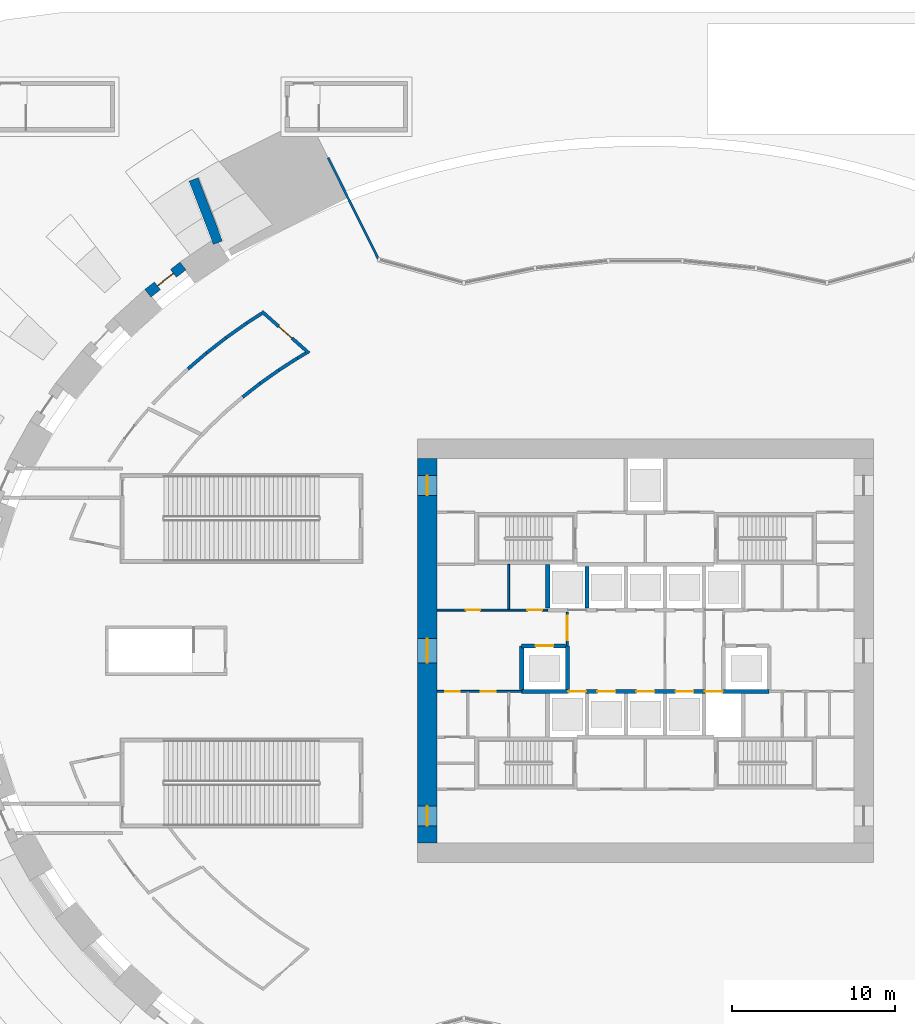
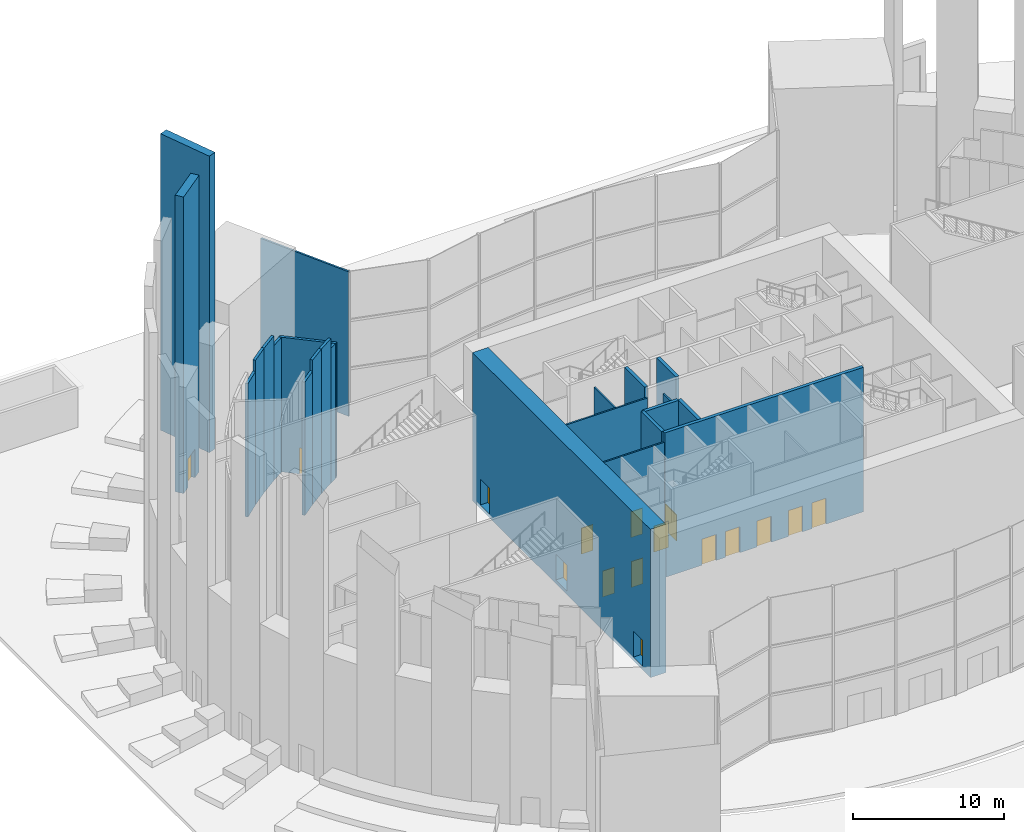
# One storey, part 10 of 25: 23 walls, 16 doors, 16 openings.
"""IFC4 building model written with IfcOpenShell, lengths in metres."""

from ifc_helpers import new_model, si_unit, direction, frame, frame_2d, origin, place, context, subcontext, project, spatial, rectangle, extrude, source, transform, mapped, material, layer, layer_set, type_object, element, fill, save


model = new_model("IFC4")

# Units and contexts
model_context = context("Model", 3, precision=1e-05, world=origin(), true_north=direction((0.0, 1.0)))
body_context = subcontext(model_context, "Body", "Model", "MODEL_VIEW")
ifc_project = project(units=[si_unit("LENGTHUNIT", "METRE"), si_unit("AREAUNIT", "SQUARE_METRE"), si_unit("VOLUMEUNIT", "CUBIC_METRE"), si_unit("PLANEANGLEUNIT", "RADIAN"), si_unit("MASSUNIT", "GRAM", prefix="KILO")], contexts=[model_context])

# Site, building, storey
site_placement = place(None, origin())
site = spatial("IfcSite", under=ifc_project, at=site_placement, CompositionType="ELEMENT")
building_placement = place(site_placement, origin())
building = spatial("IfcBuilding", under=site, at=building_placement, Name="Embergate Tower", CompositionType="ELEMENT")
storey_placement = place(building_placement, origin())
storey = spatial("IfcBuildingStorey", under=building, at=storey_placement, Name="L00", CompositionType="ELEMENT", Elevation=0.0)

# Wall, openings, doors
ifc_material_1 = material(Name="Concrete C80", Category="concrete")
ifc_layer_1 = layer(ifc_material_1, 1.199951171875)
ifc_layer_set_1 = layer_set([ifc_layer_1], Name="Concrete C80")
wall_type_1 = type_object("IfcWallType", Name="Core outer wall C80 1200", PredefinedType="SHEAR", material=ifc_layer_set_1)
shared_shape_1 = source(origin(), body_context, "Body", "SweptSolid", [
    extrude(rectangle(XDim=23.60009765625, YDim=1.199951171875, at=frame_2d((11.800048828125, 0.0))), origin(), (0.0, 0.0, 1.0), 12.0),
])
wall_1_placement = place(storey_placement, frame((-13.39990234375, -11.800048828125, -0.300048828125), z_axis=(0.0, 0.0, 1.0), x_axis=(0.0, 1.0, 0.0)))
wall_1 = element("IfcWall", 1, at=wall_1_placement, inside=storey, type_object=wall_type_1, Name="CW-L00-W", PredefinedType="SHEAR", context=body_context, shape_type="MappedRepresentation", body=[
    mapped(shared_shape_1, transform((0.0, 0.0, 0.0))),
])
shared_shape_2 = source(origin(), body_context, "Body", "SweptSolid", [
    extrude(rectangle(XDim=1.199951171875, YDim=2.10009765625, at=frame_2d((0.60009765625, 1.050048828125))), frame((0.0, 0.60986328125, 0.0), z_axis=(0.0, -1.0, 0.0), x_axis=(1.0, 0.0, 0.0)), (0.0, 0.0, 1.0), 1.219970703125),
])
opening_1_placement = place(wall_1_placement, frame((21.35009765625, 0.0, 0.300048828125)))
opening_1 = element("IfcOpeningElement", 2, at=opening_1_placement, cuts=wall_1, Name="Opening IF-1", PredefinedType="OPENING", context=body_context, shape_type="MappedRepresentation", body=[
    mapped(shared_shape_2, transform((0.0, 0.0, 0.0))),
])
opening_2_placement = place(wall_1_placement, frame((1.050048828125, 0.0, 0.300048828125)))
opening_2 = element("IfcOpeningElement", 3, at=opening_2_placement, cuts=wall_1, Name="Opening IF-1", PredefinedType="OPENING", context=body_context, shape_type="MappedRepresentation", body=[
    mapped(shared_shape_2, transform((0.0, 0.0, 0.0))),
])
shared_shape_3 = source(origin(), body_context, "Body", "SweptSolid", [
    extrude(rectangle(XDim=1.5, YDim=2.10009765625, at=frame_2d((0.75, 1.050048828125))), frame((0.0, 0.60986328125, 0.0), z_axis=(0.0, -1.0, 0.0), x_axis=(1.0, 0.0, 0.0)), (0.0, 0.0, 1.0), 1.219970703125),
])
opening_3_placement = place(wall_1_placement, frame((11.050048828125, 0.0, 0.300048828125)))
opening_3 = element("IfcOpeningElement", 4, at=opening_3_placement, cuts=wall_1, Name="Opening IF-3", PredefinedType="OPENING", context=body_context, shape_type="MappedRepresentation", body=[
    mapped(shared_shape_3, transform((0.0, 0.0, 0.0))),
])
ifc_material_2 = material(Name="Escape fire door 1200")
door_type_1 = type_object("IfcDoorType", Name="Escape fire door 1200", OperationType="SINGLE_SWING_LEFT", PredefinedType="DOOR", material=ifc_material_2)
shared_shape_4 = source(origin(), body_context, "Body", "SweptSolid", [
    extrude(rectangle(XDim=1.199951171875, YDim=2.10009765625, at=frame_2d((0.60009765625, 1.050048828125))), frame((0.0, 0.02490234375, 0.0), z_axis=(0.0, -1.0, 0.0), x_axis=(1.0, 0.0, 0.0)), (0.0, 0.0, 1.0), 0.050048828125),
])
door_1_placement = place(opening_1_placement, origin())
door_1 = element("IfcDoor", 5, at=door_1_placement, inside=storey, type_object=door_type_1, Name="IF-1 door", OperationType="SINGLE_SWING_RIGHT", OverallHeight=2.10009765625, OverallWidth=1.199951171875, PredefinedType="DOOR", context=body_context, shape_type="MappedRepresentation", body=[
    mapped(shared_shape_4, transform((0.0, 0.0, 0.0))),
])
fill(opening_1, door_1)
door_2_placement = place(opening_2_placement, origin())
door_2 = element("IfcDoor", 6, at=door_2_placement, inside=storey, type_object=door_type_1, Name="IF-1 door", OperationType="SINGLE_SWING_RIGHT", OverallHeight=2.10009765625, OverallWidth=1.199951171875, PredefinedType="DOOR", context=body_context, shape_type="MappedRepresentation", body=[
    mapped(shared_shape_4, transform((0.0, 0.0, 0.0))),
])
fill(opening_2, door_2)
ifc_material_3 = material(Name="Lobby fire door pair 1500")
door_type_2 = type_object("IfcDoorType", Name="Lobby fire door pair 1500", OperationType="DOUBLE_DOOR_SINGLE_SWING", PredefinedType="DOOR", material=ifc_material_3)
shared_shape_5 = source(origin(), body_context, "Body", "SweptSolid", [
    extrude(rectangle(XDim=1.5, YDim=2.10009765625, at=frame_2d((0.75, 1.050048828125))), frame((0.0, 0.02490234375, 0.0), z_axis=(0.0, -1.0, 0.0), x_axis=(1.0, 0.0, 0.0)), (0.0, 0.0, 1.0), 0.050048828125),
])
door_3_placement = place(opening_3_placement, origin())
door_3 = element("IfcDoor", 7, at=door_3_placement, inside=storey, type_object=door_type_2, Name="IF-3 door", OperationType="DOUBLE_DOOR_SINGLE_SWING", OverallHeight=2.10009765625, OverallWidth=1.5, PredefinedType="DOOR", context=body_context, shape_type="MappedRepresentation", body=[
    mapped(shared_shape_5, transform((0.0, 0.0, 0.0))),
])
fill(opening_3, door_3)

# Wall
ifc_material_4 = material(Name="Brick masonry, solid, with terracotta coping", Category="masonry")
ifc_layer_2 = layer(ifc_material_4, 0.60009765625)
ifc_layer_set_2 = layer_set([ifc_layer_2], Name="Brick masonry, solid, with terracotta coping")
wall_type_2 = type_object("IfcWallType", Name="Masonry base wall", PredefinedType="SOLIDWALL", material=ifc_layer_set_2)
shared_shape_6 = source(origin(), body_context, "Body", "SweptSolid", [
    extrude(rectangle(XDim=4.158203125, YDim=0.60009765625, at=frame_2d((2.0791015625, 0.0))), origin(), (0.0, 0.0, 1.0), 24.0),
])
wall_2_placement = place(storey_placement, frame((-26.26123046875, 25.063232421875, 0.0), z_axis=(0.0, 0.0, 1.0), x_axis=(-0.359557362016, 0.933122984081, 0.0)))
element("IfcWall", 8, at=wall_2_placement, inside=storey, type_object=wall_type_2, Name="Masonry base wall 16", PredefinedType="SOLIDWALL", context=body_context, shape_type="MappedRepresentation", body=[
    mapped(shared_shape_6, transform((0.0, 0.0, 0.0))),
])

# Wall, opening, door
shared_shape_7 = source(origin(), body_context, "Body", "SweptSolid", [
    extrude(rectangle(XDim=2.734375, YDim=0.60009765625, at=frame_2d((1.3671875, 0.0))), origin(), (0.0, 0.0, 1.0), 24.0),
])
wall_3_placement = place(storey_placement, frame((-30.5634765625, 21.957275390625, 0.0), z_axis=(0.0, 0.0, 1.0), x_axis=(0.789015561302, 0.614373212325, 0.0)))
wall_3 = element("IfcWall", 9, at=wall_3_placement, inside=storey, type_object=wall_type_2, Name="Masonry base wall 17", PredefinedType="SOLIDWALL", context=body_context, shape_type="MappedRepresentation", body=[
    mapped(shared_shape_7, transform((0.0, 0.0, 0.0))),
])
shared_shape_8 = source(origin(), body_context, "Body", "SweptSolid", [
    extrude(rectangle(XDim=1.25, YDim=2.300048828125, at=frame_2d((0.625, 1.14990234375))), frame((0.0, 0.31005859375, 0.0), z_axis=(0.0, -1.0, 0.0), x_axis=(1.0, 0.0, 0.0)), (0.0, 0.0, 1.0), 0.6201171875),
])
opening_4_placement = place(wall_3_placement, frame((0.7421875, 0.0, 0.0)))
opening_4 = element("IfcOpeningElement", 10, at=opening_4_placement, cuts=wall_3, Name="Opening XD", PredefinedType="OPENING", context=body_context, shape_type="MappedRepresentation", body=[
    mapped(shared_shape_8, transform((0.0, 0.0, 0.0))),
])
ifc_material_5 = material(Name="Aluminium and toughened glass", Category="aluminium")
door_type_3 = type_object("IfcDoorType", Name="Exit door leaf", OperationType="SINGLE_SWING_LEFT", PredefinedType="DOOR", material=ifc_material_5)
shared_shape_9 = source(origin(), body_context, "Body", "SweptSolid", [
    extrude(rectangle(XDim=1.25, YDim=2.300048828125, at=frame_2d((0.625, 1.14990234375))), frame((0.0, 0.02490234375, 0.0), z_axis=(0.0, -1.0, 0.0), x_axis=(1.0, 0.0, 0.0)), (0.0, 0.0, 1.0), 0.050048828125),
])
door_4_placement = place(opening_4_placement, origin())
door_4 = element("IfcDoor", 11, at=door_4_placement, inside=storey, type_object=door_type_3, Name="Exit door ST3 17.1", OperationType="SINGLE_SWING_LEFT", OverallHeight=2.300048828125, OverallWidth=1.25, PredefinedType="DOOR", context=body_context, shape_type="MappedRepresentation", body=[
    mapped(shared_shape_9, transform((0.0, 0.0, 0.0))),
])
fill(opening_4, door_4)

# Walls
ifc_layer_3 = layer(ifc_material_5, 0.139892578125)
ifc_layer_set_3 = layer_set([ifc_layer_3], Name="Aluminium and toughened glass")
wall_type_3 = type_object("IfcWallType", Name="Glazed portal return", PredefinedType="SOLIDWALL", material=ifc_layer_set_3)
shared_shape_10 = source(origin(), body_context, "Body", "SweptSolid", [
    extrude(rectangle(XDim=7.0, YDim=0.139892578125, at=frame_2d((3.5, 0.0))), origin(), (0.0, 0.0, 1.0), 11.699951171875),
])
wall_4_placement = place(storey_placement, frame((-19.4951171875, 30.2880859375, 0.0), z_axis=(0.0, 0.0, 1.0), x_axis=(0.444714670292, -0.895672296115, 0.0)))
element("IfcWall", 12, at=wall_4_placement, inside=storey, type_object=wall_type_3, Name="Portal return N2", PredefinedType="SOLIDWALL", context=body_context, shape_type="MappedRepresentation", body=[
    mapped(shared_shape_10, transform((0.0, 0.0, 0.0))),
])
ifc_material_6 = material(Name="Concrete C50", Category="concrete")
ifc_layer_4 = layer(ifc_material_6, 0.25)
ifc_layer_set_4 = layer_set([ifc_layer_4], Name="Concrete C50")
wall_type_4 = type_object("IfcWallType", Name="Hoistway wall reinforced concrete 250", PredefinedType="SHEAR", material=ifc_layer_set_4)
shared_shape_11 = source(origin(), body_context, "Body", "SweptSolid", [
    extrude(rectangle(XDim=2.675048828125, YDim=0.25, at=frame_2d((1.33740234375, 0.0))), origin(), (0.0, 0.0, 1.0), 11.699951171875),
])
for number, where, z_axis, x_axis, name in (
    (13, (-6.0, 2.625, 0.0), (0.0, 0.0, 1.0), (0.0, 1.0, 0.0), "HW-1 wall"),
    (14, (-4.800048828125, 0.300048828125, 0.0), (0.0, 0.0, 1.0), (0.0, -1.0, 0.0), "HW-1 wall"),
):
    element("IfcWall", number, at=place(storey_placement, frame(where, z_axis=z_axis, x_axis=x_axis)), inside=storey, type_object=wall_type_4, Name=name, PredefinedType="SHEAR", context=body_context, shape_type="MappedRepresentation", body=[
        mapped(shared_shape_11, transform((0.0, 0.0, 0.0))),
    ])

# Wall, opening, door
wall_5_placement = place(storey_placement, frame((-4.925048828125, 0.300048828125, 0.0), z_axis=(0.0, 0.0, 1.0), x_axis=(-1.0, 0.0, 0.0)))
wall_5 = element("IfcWall", 15, at=wall_5_placement, inside=storey, type_object=wall_type_4, Name="HW-1 wall", PredefinedType="SHEAR", context=body_context, shape_type="MappedRepresentation", body=[
    mapped(shared_shape_11, transform((0.0, 0.0, 0.0))),
])
shared_shape_12 = source(origin(), body_context, "Body", "SweptSolid", [
    extrude(rectangle(XDim=1.10009765625, YDim=2.10009765625, at=frame_2d((0.550048828125, 1.050048828125))), frame((0.0, 0.135009765625, 0.0), z_axis=(0.0, -1.0, 0.0), x_axis=(1.0, 0.0, 0.0)), (0.0, 0.0, 1.0), 0.27001953125),
])
opening_5_placement = place(wall_5_placement, frame((0.72509765625, 0.0, 0.0)))
opening_5 = element("IfcOpeningElement", 16, at=opening_5_placement, cuts=wall_5, Name="Opening LD", PredefinedType="OPENING", context=body_context, shape_type="MappedRepresentation", body=[
    mapped(shared_shape_12, transform((0.0, 0.0, 0.0))),
])
ifc_material_7 = material(Name="Landing door sliding 1100")
door_type_4 = type_object("IfcDoorType", Name="Landing door sliding 1100", OperationType="SLIDING_TO_LEFT", PredefinedType="DOOR", material=ifc_material_7)
shared_shape_13 = source(origin(), body_context, "Body", "SweptSolid", [
    extrude(rectangle(XDim=1.10009765625, YDim=2.10009765625, at=frame_2d((0.550048828125, 1.050048828125))), frame((0.0, 0.02490234375, 0.0), z_axis=(0.0, -1.0, 0.0), x_axis=(1.0, 0.0, 0.0)), (0.0, 0.0, 1.0), 0.050048828125),
])
door_5_placement = place(opening_5_placement, origin())
door_5 = element("IfcDoor", 17, at=door_5_placement, inside=storey, type_object=door_type_4, Name="LD door", OperationType="SLIDING_TO_LEFT", OverallHeight=2.10009765625, OverallWidth=1.10009765625, PredefinedType="DOOR", context=body_context, shape_type="MappedRepresentation", body=[
    mapped(shared_shape_13, transform((0.0, 0.0, 0.0))),
])
fill(opening_5, door_5)

# Wall
wall_6_placement = place(storey_placement, frame((-7.60009765625, 0.300048828125, 0.0), z_axis=(0.0, 0.0, 1.0), x_axis=(0.0, -1.0, 0.0)))
element("IfcWall", 18, at=wall_6_placement, inside=storey, type_object=wall_type_4, Name="HW-1 wall", PredefinedType="SHEAR", context=body_context, shape_type="MappedRepresentation", body=[
    mapped(shared_shape_11, transform((0.0, 0.0, 0.0))),
])

# Wall, openings, doors
ifc_material_8 = material(Name="Core partition blockwork 120")
ifc_layer_5 = layer(ifc_material_8, 0.1201171875)
ifc_layer_set_5 = layer_set([ifc_layer_5], Name="Core partition blockwork 120")
wall_type_5 = type_object("IfcWallType", Name="Core partition blockwork 120", PredefinedType="PARTITIONING", material=ifc_layer_set_5)
shared_shape_14 = source(origin(), body_context, "Body", "SweptSolid", [
    extrude(rectangle(XDim=6.800048828125, YDim=0.1201171875, at=frame_2d((3.39990234375, 0.0))), origin(), (0.0, 0.0, 1.0), 10.89990234375),
])
wall_7_placement = place(storey_placement, frame((-12.800048828125, 2.5, 0.0), z_axis=(0.0, 0.0, 1.0), x_axis=(1.0, 0.0, 0.0)))
wall_7 = element("IfcWall", 19, at=wall_7_placement, inside=storey, type_object=wall_type_5, Name="IP-3 wall", PredefinedType="PARTITIONING", context=body_context, shape_type="MappedRepresentation", body=[
    mapped(shared_shape_14, transform((0.0, 0.0, 0.0))),
])
shared_shape_15 = source(origin(), body_context, "Body", "SweptSolid", [
    extrude(rectangle(XDim=0.89990234375, YDim=2.10009765625, at=frame_2d((0.449951171875, 1.050048828125))), frame((0.0, 0.070068359375, 0.0), z_axis=(0.0, -1.0, 0.0), x_axis=(1.0, 0.0, 0.0)), (0.0, 0.0, 1.0), 0.14013671875),
])
opening_6_placement = place(wall_7_placement, frame((5.550048828125, 0.0, 0.0)))
opening_6 = element("IfcOpeningElement", 20, at=opening_6_placement, cuts=wall_7, Name="Opening ID-1", PredefinedType="OPENING", context=body_context, shape_type="MappedRepresentation", body=[
    mapped(shared_shape_15, transform((0.0, 0.0, 0.0))),
])
opening_7_placement = place(wall_7_placement, frame((1.75, 0.0, 0.0)))
opening_7 = element("IfcOpeningElement", 21, at=opening_7_placement, cuts=wall_7, Name="Opening ID-1", PredefinedType="OPENING", context=body_context, shape_type="MappedRepresentation", body=[
    mapped(shared_shape_15, transform((0.0, 0.0, 0.0))),
])
ifc_material_9 = material(Name="Interior door 900")
door_type_5 = type_object("IfcDoorType", Name="Interior door 900", OperationType="SINGLE_SWING_LEFT", PredefinedType="DOOR", material=ifc_material_9)
shared_shape_16 = source(origin(), body_context, "Body", "SweptSolid", [
    extrude(rectangle(XDim=0.89990234375, YDim=2.10009765625, at=frame_2d((0.449951171875, 1.050048828125))), frame((0.0, 0.02490234375, 0.0), z_axis=(0.0, -1.0, 0.0), x_axis=(1.0, 0.0, 0.0)), (0.0, 0.0, 1.0), 0.050048828125),
])
door_6_placement = place(opening_6_placement, origin())
door_6 = element("IfcDoor", 22, at=door_6_placement, inside=storey, type_object=door_type_5, Name="ID-1 door", OperationType="SINGLE_SWING_LEFT", OverallHeight=2.10009765625, OverallWidth=0.89990234375, PredefinedType="DOOR", context=body_context, shape_type="MappedRepresentation", body=[
    mapped(shared_shape_16, transform((0.0, 0.0, 0.0))),
])
fill(opening_6, door_6)
door_7_placement = place(opening_7_placement, origin())
door_7 = element("IfcDoor", 23, at=door_7_placement, inside=storey, type_object=door_type_5, Name="ID-1 door", OperationType="SINGLE_SWING_LEFT", OverallHeight=2.10009765625, OverallWidth=0.89990234375, PredefinedType="DOOR", context=body_context, shape_type="MappedRepresentation", body=[
    mapped(shared_shape_16, transform((0.0, 0.0, 0.0))),
])
fill(opening_7, door_7)

# Walls
shared_shape_17 = source(origin(), body_context, "Body", "SweptSolid", [
    extrude(rectangle(XDim=2.739990234375, YDim=0.1201171875, at=frame_2d((1.3701171875, 0.0))), origin(), (0.0, 0.0, 1.0), 10.89990234375),
])
wall_8_placement = place(storey_placement, frame((-8.39990234375, 5.300048828125, 0.0), z_axis=(0.0, 0.0, 1.0), x_axis=(0.0, -1.0, 0.0)))
element("IfcWall", 24, at=wall_8_placement, inside=storey, type_object=wall_type_5, Name="IP-3 wall", PredefinedType="PARTITIONING", context=body_context, shape_type="MappedRepresentation", body=[
    mapped(shared_shape_17, transform((0.0, 0.0, 0.0))),
])
shared_shape_18 = source(origin(), body_context, "Body", "SweptSolid", [
    extrude(rectangle(XDim=2.550048828125, YDim=0.25, at=frame_2d((1.27490234375, 0.0))), origin(), (0.0, 0.0, 1.0), 11.699951171875),
])
wall_9_placement = place(storey_placement, frame((-3.60009765625, 2.625, 0.0), z_axis=(0.0, 0.0, 1.0), x_axis=(0.0, 1.0, 0.0)))
element("IfcWall", 25, at=wall_9_placement, inside=storey, type_object=wall_type_4, Name="HW-1 wall", PredefinedType="SHEAR", context=body_context, shape_type="MappedRepresentation", body=[
    mapped(shared_shape_18, transform((0.0, 0.0, 0.0))),
])

# Wall, openings, doors
shared_shape_19 = source(origin(), body_context, "Body", "SweptSolid", [
    extrude(rectangle(XDim=15.2001953125, YDim=0.25, at=frame_2d((7.60009765625, 0.0))), origin(), (0.0, 0.0, 1.0), 11.699951171875),
])
wall_10_placement = place(storey_placement, frame((7.60009765625, -2.5, 0.0), z_axis=(0.0, 0.0, 1.0), x_axis=(-1.0, 0.0, 0.0)))
wall_10 = element("IfcWall", 26, at=wall_10_placement, inside=storey, type_object=wall_type_4, Name="HW-1 wall", PredefinedType="SHEAR", context=body_context, shape_type="MappedRepresentation", body=[
    mapped(shared_shape_19, transform((0.0, 0.0, 0.0))),
])
opening_8_placement = place(wall_10_placement, frame((11.25, 0.0, 0.0)))
opening_8 = element("IfcOpeningElement", 27, at=opening_8_placement, cuts=wall_10, Name="Opening LD", PredefinedType="OPENING", context=body_context, shape_type="MappedRepresentation", body=[
    mapped(shared_shape_12, transform((0.0, 0.0, 0.0))),
])
opening_9_placement = place(wall_10_placement, frame((9.449951171875, 0.0, 0.0)))
opening_9 = element("IfcOpeningElement", 28, at=opening_9_placement, cuts=wall_10, Name="Opening LD", PredefinedType="OPENING", context=body_context, shape_type="MappedRepresentation", body=[
    mapped(shared_shape_12, transform((0.0, 0.0, 0.0))),
])
opening_10_placement = place(wall_10_placement, frame((7.050048828125, 0.0, 0.0)))
opening_10 = element("IfcOpeningElement", 29, at=opening_10_placement, cuts=wall_10, Name="Opening LD", PredefinedType="OPENING", context=body_context, shape_type="MappedRepresentation", body=[
    mapped(shared_shape_12, transform((0.0, 0.0, 0.0))),
])
opening_11_placement = place(wall_10_placement, frame((4.64990234375, 0.0, 0.0)))
opening_11 = element("IfcOpeningElement", 30, at=opening_11_placement, cuts=wall_10, Name="Opening LD", PredefinedType="OPENING", context=body_context, shape_type="MappedRepresentation", body=[
    mapped(shared_shape_12, transform((0.0, 0.0, 0.0))),
])
opening_12_placement = place(wall_10_placement, frame((2.85009765625, 0.0, 0.0)))
opening_12 = element("IfcOpeningElement", 31, at=opening_12_placement, cuts=wall_10, Name="Opening LD", PredefinedType="OPENING", context=body_context, shape_type="MappedRepresentation", body=[
    mapped(shared_shape_12, transform((0.0, 0.0, 0.0))),
])
door_8_placement = place(opening_8_placement, origin())
door_8 = element("IfcDoor", 32, at=door_8_placement, inside=storey, type_object=door_type_4, Name="LD door", OperationType="SLIDING_TO_LEFT", OverallHeight=2.10009765625, OverallWidth=1.10009765625, PredefinedType="DOOR", context=body_context, shape_type="MappedRepresentation", body=[
    mapped(shared_shape_13, transform((0.0, 0.0, 0.0))),
])
fill(opening_8, door_8)
door_9_placement = place(opening_9_placement, origin())
door_9 = element("IfcDoor", 33, at=door_9_placement, inside=storey, type_object=door_type_4, Name="LD door", OperationType="SLIDING_TO_LEFT", OverallHeight=2.10009765625, OverallWidth=1.10009765625, PredefinedType="DOOR", context=body_context, shape_type="MappedRepresentation", body=[
    mapped(shared_shape_13, transform((0.0, 0.0, 0.0))),
])
fill(opening_9, door_9)
door_10_placement = place(opening_10_placement, origin())
door_10 = element("IfcDoor", 34, at=door_10_placement, inside=storey, type_object=door_type_4, Name="LD door", OperationType="SLIDING_TO_LEFT", OverallHeight=2.10009765625, OverallWidth=1.10009765625, PredefinedType="DOOR", context=body_context, shape_type="MappedRepresentation", body=[
    mapped(shared_shape_13, transform((0.0, 0.0, 0.0))),
])
fill(opening_10, door_10)
door_11_placement = place(opening_11_placement, origin())
door_11 = element("IfcDoor", 35, at=door_11_placement, inside=storey, type_object=door_type_4, Name="LD door", OperationType="SLIDING_TO_RIGHT", OverallHeight=2.10009765625, OverallWidth=1.10009765625, PredefinedType="DOOR", context=body_context, shape_type="MappedRepresentation", body=[
    mapped(shared_shape_13, transform((0.0, 0.0, 0.0))),
])
fill(opening_11, door_11)
door_12_placement = place(opening_12_placement, origin())
door_12 = element("IfcDoor", 36, at=door_12_placement, inside=storey, type_object=door_type_4, Name="LD door", OperationType="SLIDING_TO_RIGHT", OverallHeight=2.10009765625, OverallWidth=1.10009765625, PredefinedType="DOOR", context=body_context, shape_type="MappedRepresentation", body=[
    mapped(shared_shape_13, transform((0.0, 0.0, 0.0))),
])
fill(opening_12, door_12)

shared_shape_20 = source(origin(), body_context, "Body", "SweptSolid", [
    extrude(rectangle(XDim=5.199951171875, YDim=0.1201171875, at=frame_2d((2.60009765625, 0.0))), origin(), (0.0, 0.0, 1.0), 10.89990234375),
])
wall_11_placement = place(storey_placement, frame((-7.60009765625, -2.5, 0.0), z_axis=(0.0, 0.0, 1.0), x_axis=(-1.0, 0.0, 0.0)))
wall_11 = element("IfcWall", 37, at=wall_11_placement, inside=storey, type_object=wall_type_5, Name="IP-3 wall", PredefinedType="PARTITIONING", context=body_context, shape_type="MappedRepresentation", body=[
    mapped(shared_shape_20, transform((0.0, 0.0, 0.0))),
])
opening_13_placement = place(wall_11_placement, frame((3.803955078125, 0.0, 0.0)))
opening_13 = element("IfcOpeningElement", 38, at=opening_13_placement, cuts=wall_11, Name="Opening ID-1", PredefinedType="OPENING", context=body_context, shape_type="MappedRepresentation", body=[
    mapped(shared_shape_15, transform((0.0, 0.0, 0.0))),
])
opening_14_placement = place(wall_11_placement, frame((1.60400390625, 0.0, 0.0)))
opening_14 = element("IfcOpeningElement", 39, at=opening_14_placement, cuts=wall_11, Name="Opening ID-1", PredefinedType="OPENING", context=body_context, shape_type="MappedRepresentation", body=[
    mapped(shared_shape_15, transform((0.0, 0.0, 0.0))),
])
door_13_placement = place(opening_13_placement, origin())
door_13 = element("IfcDoor", 40, at=door_13_placement, inside=storey, type_object=door_type_5, Name="ID-1 door", OperationType="SINGLE_SWING_RIGHT", OverallHeight=2.10009765625, OverallWidth=0.89990234375, PredefinedType="DOOR", context=body_context, shape_type="MappedRepresentation", body=[
    mapped(shared_shape_16, transform((0.0, 0.0, 0.0))),
])
fill(opening_13, door_13)
door_14_placement = place(opening_14_placement, origin())
door_14 = element("IfcDoor", 41, at=door_14_placement, inside=storey, type_object=door_type_5, Name="ID-1 door", OperationType="SINGLE_SWING_RIGHT", OverallHeight=2.10009765625, OverallWidth=0.89990234375, PredefinedType="DOOR", context=body_context, shape_type="MappedRepresentation", body=[
    mapped(shared_shape_16, transform((0.0, 0.0, 0.0))),
])
fill(opening_14, door_14)

# Wall, opening, door
shared_shape_21 = source(origin(), body_context, "Body", "SweptSolid", [
    extrude(rectangle(XDim=2.074951171875, YDim=0.1201171875, at=frame_2d((1.03759765625, 0.0))), origin(), (0.0, 0.0, 1.0), 10.89990234375),
])
wall_12_placement = place(storey_placement, frame((-4.800048828125, 2.375, 0.0), z_axis=(0.0, 0.0, 1.0), x_axis=(0.0, -1.0, 0.0)))
wall_12 = element("IfcWall", 42, at=wall_12_placement, inside=storey, type_object=wall_type_5, Name="IP-3 wall", PredefinedType="PARTITIONING", context=body_context, shape_type="MappedRepresentation", body=[
    mapped(shared_shape_21, transform((0.0, 0.0, 0.0))),
])
shared_shape_22 = source(origin(), body_context, "Body", "SweptSolid", [
    extrude(rectangle(XDim=1.5, YDim=2.10009765625, at=frame_2d((0.75, 1.050048828125))), frame((0.0, 0.070068359375, 0.0), z_axis=(0.0, -1.0, 0.0), x_axis=(1.0, 0.0, 0.0)), (0.0, 0.0, 1.0), 0.14013671875),
])
opening_15_placement = place(wall_12_placement, frame((0.22509765625, 0.0, 0.0)))
opening_15 = element("IfcOpeningElement", 43, at=opening_15_placement, cuts=wall_12, Name="Opening IF-3", PredefinedType="OPENING", context=body_context, shape_type="MappedRepresentation", body=[
    mapped(shared_shape_22, transform((0.0, 0.0, 0.0))),
])
door_15_placement = place(opening_15_placement, origin())
door_15 = element("IfcDoor", 44, at=door_15_placement, inside=storey, type_object=door_type_2, Name="IF-3 door", OperationType="DOUBLE_DOOR_SINGLE_SWING", OverallHeight=2.10009765625, OverallWidth=1.5, PredefinedType="DOOR", context=body_context, shape_type="MappedRepresentation", body=[
    mapped(shared_shape_5, transform((0.0, 0.0, 0.0))),
])
fill(opening_15, door_15)

# Walls
ifc_material_10 = material(Name="Blockwork, plastered", Category="masonry")
ifc_layer_6 = layer(ifc_material_10, 0.199951171875)
ifc_layer_set_6 = layer_set([ifc_layer_6], Name="Blockwork, plastered")
wall_type_6 = type_object("IfcWallType", Name="Fire partition wall 200 block", PredefinedType="PARTITIONING", material=ifc_layer_set_6)
shared_shape_23 = source(origin(), body_context, "Body", "SweptSolid", [
    extrude(rectangle(XDim=1.50341796875, YDim=0.199951171875, at=frame_2d((0.751708984375, 0.0))), origin(), (0.0, 0.0, 1.0), 10.800048828125),
])
wall_13_placement = place(storey_placement, frame((-28.10107421875, 17.31005859375, 0.0), z_axis=(0.0, 0.0, 1.0), x_axis=(0.758958509903, 0.651138986888, 0.0)))
element("IfcWall", 45, at=wall_13_placement, inside=storey, type_object=wall_type_6, Name="Partition 045", PredefinedType="PARTITIONING", context=body_context, shape_type="MappedRepresentation", body=[
    mapped(shared_shape_23, transform((0.0, 0.0, 0.0))),
])
shared_shape_24 = source(origin(), body_context, "Body", "SweptSolid", [
    extrude(rectangle(XDim=1.52978515625, YDim=0.199951171875, at=frame_2d((0.764892578125, 0.0))), origin(), (0.0, 0.0, 1.0), 11.699951171875),
])
wall_14_placement = place(storey_placement, frame((-26.9599609375, 18.2890625, 0.0), z_axis=(0.0, 0.0, 1.0), x_axis=(0.788440381809, 0.615111180464, 0.0)))
element("IfcWall", 46, at=wall_14_placement, inside=storey, type_object=wall_type_6, Name="Partition 052", PredefinedType="PARTITIONING", context=body_context, shape_type="MappedRepresentation", body=[
    mapped(shared_shape_24, transform((0.0, 0.0, 0.0))),
])
shared_shape_25 = source(origin(), body_context, "Body", "SweptSolid", [
    extrude(rectangle(XDim=1.553466796875, YDim=0.199951171875, at=frame_2d((0.77685546875, 0.0))), origin(), (0.0, 0.0, 1.0), 11.699951171875),
])
wall_15_placement = place(storey_placement, frame((-25.75390625, 19.22998046875, 0.0), z_axis=(0.0, 0.0, 1.0), x_axis=(0.81554542889, 0.578693056306, 0.0)))
element("IfcWall", 47, at=wall_15_placement, inside=storey, type_object=wall_type_6, Name="Partition 062", PredefinedType="PARTITIONING", context=body_context, shape_type="MappedRepresentation", body=[
    mapped(shared_shape_25, transform((0.0, 0.0, 0.0))),
])
shared_shape_26 = source(origin(), body_context, "Body", "SweptSolid", [
    extrude(rectangle(XDim=1.079833984375, YDim=0.199951171875, at=frame_2d((0.5400390625, 0.0))), origin(), (0.0, 0.0, 1.0), 10.89990234375),
])
wall_16_placement = place(storey_placement, frame((-24.487060546875, 20.12890625, 0.0), z_axis=(0.0, 0.0, 1.0), x_axis=(0.839861174492, 0.542801259746, 0.0)))
element("IfcWall", 48, at=wall_16_placement, inside=storey, type_object=wall_type_6, Name="Partition 066", PredefinedType="PARTITIONING", context=body_context, shape_type="MappedRepresentation", body=[
    mapped(shared_shape_26, transform((0.0, 0.0, 0.0))),
])
shared_shape_27 = source(origin(), body_context, "Body", "SweptSolid", [
    extrude(rectangle(XDim=1.3671875, YDim=0.199951171875, at=frame_2d((0.68359375, 0.0))), origin(), (0.0, 0.0, 1.0), 10.800048828125),
])
wall_17_placement = place(storey_placement, frame((-23.6650390625, 16.422119140625, 0.0), z_axis=(0.0, 0.0, 1.0), x_axis=(-0.788389714652, -0.61517611936, 0.0)))
element("IfcWall", 49, at=wall_17_placement, inside=storey, type_object=wall_type_6, Name="Partition 068", PredefinedType="PARTITIONING", context=body_context, shape_type="MappedRepresentation", body=[
    mapped(shared_shape_27, transform((0.0, 0.0, 0.0))),
])

# Wall, opening, door
shared_shape_28 = source(origin(), body_context, "Body", "SweptSolid", [
    extrude(rectangle(XDim=3.865966796875, YDim=0.199951171875, at=frame_2d((1.93310546875, 0.0))), origin(), (0.0, 0.0, 1.0), 10.89990234375),
])
wall_18_placement = place(storey_placement, frame((-23.56298828125, 20.841064453125, 0.0), z_axis=(0.0, 0.0, 1.0), x_axis=(0.749100215719, -0.662456690516, 0.0)))
wall_18 = element("IfcWall", 50, at=wall_18_placement, inside=storey, type_object=wall_type_6, Name="Partition 070", PredefinedType="PARTITIONING", context=body_context, shape_type="MappedRepresentation", body=[
    mapped(shared_shape_28, transform((0.0, 0.0, 0.0))),
])
shared_shape_29 = source(origin(), body_context, "Body", "SweptSolid", [
    extrude(rectangle(XDim=1.10009765625, YDim=2.10009765625, at=frame_2d((0.550048828125, 1.050048828125))), frame((0.0, 0.10986328125, 0.0), z_axis=(0.0, -1.0, 0.0), x_axis=(1.0, 0.0, 0.0)), (0.0, 0.0, 1.0), 0.219970703125),
])
opening_16_placement = place(wall_18_placement, frame((1.383056640625, 0.0, 0.0)))
opening_16 = element("IfcOpeningElement", 51, at=opening_16_placement, cuts=wall_18, Name="Opening DS-009", PredefinedType="OPENING", context=body_context, shape_type="MappedRepresentation", body=[
    mapped(shared_shape_29, transform((0.0, 0.0, 0.0))),
])
ifc_material_11 = material(Name="Steel fire door leaf", Category="steel")
door_type_6 = type_object("IfcDoorType", Name="Fire door class B 1100x2100", OperationType="SINGLE_SWING_LEFT", PredefinedType="DOOR", material=ifc_material_11)
shared_shape_30 = source(origin(), body_context, "Body", "SweptSolid", [
    extrude(rectangle(XDim=1.10009765625, YDim=2.10009765625, at=frame_2d((0.550048828125, 1.050048828125))), frame((0.0, 0.02490234375, 0.0), z_axis=(0.0, -1.0, 0.0), x_axis=(1.0, 0.0, 0.0)), (0.0, 0.0, 1.0), 0.050048828125),
])
door_16_placement = place(opening_16_placement, origin())
door_16 = element("IfcDoor", 52, at=door_16_placement, inside=storey, type_object=door_type_6, Name="Door to Fire command room", OperationType="SINGLE_SWING_LEFT", OverallHeight=2.10009765625, OverallWidth=1.10009765625, PredefinedType="DOOR", context=body_context, shape_type="MappedRepresentation", body=[
    mapped(shared_shape_30, transform((0.0, 0.0, 0.0))),
])
fill(opening_16, door_16)

# Walls
shared_shape_31 = source(origin(), body_context, "Body", "SweptSolid", [
    extrude(rectangle(XDim=1.397216796875, YDim=0.199951171875, at=frame_2d((0.69873046875, 0.0))), origin(), (0.0, 0.0, 1.0), 11.699951171875),
])
wall_19_placement = place(storey_placement, frame((-22.52587890625, 17.23095703125, 0.0), z_axis=(0.0, 0.0, 1.0), x_axis=(-0.815371436095, -0.578938184265, 0.0)))
element("IfcWall", 53, at=wall_19_placement, inside=storey, type_object=wall_type_6, Name="Partition 072", PredefinedType="PARTITIONING", context=body_context, shape_type="MappedRepresentation", body=[
    mapped(shared_shape_31, transform((0.0, 0.0, 0.0))),
])
shared_shape_32 = source(origin(), body_context, "Body", "SweptSolid", [
    extrude(rectangle(XDim=1.375732421875, YDim=0.199951171875, at=frame_2d((0.68798828125, 0.0))), origin(), (0.0, 0.0, 1.0), 11.699951171875),
])
wall_20_placement = place(storey_placement, frame((-21.3701171875, 17.97705078125, 0.0), z_axis=(0.0, 0.0, 1.0), x_axis=(-0.840150572034, -0.542353220983, 0.0)))
element("IfcWall", 54, at=wall_20_placement, inside=storey, type_object=wall_type_6, Name="Partition 074", PredefinedType="PARTITIONING", context=body_context, shape_type="MappedRepresentation", body=[
    mapped(shared_shape_32, transform((0.0, 0.0, 0.0))),
])
shared_shape_33 = source(origin(), body_context, "Body", "SweptSolid", [
    extrude(rectangle(XDim=0.608642578125, YDim=0.199951171875, at=frame_2d((0.30419921875, 0.0))), origin(), (0.0, 0.0, 1.0), 10.89990234375),
])
wall_21_placement = place(storey_placement, frame((-20.844970703125, 18.284912109375, 0.0), z_axis=(0.0, 0.0, 1.0), x_axis=(-0.862685902478, -0.505740085088, 0.0)))
element("IfcWall", 55, at=wall_21_placement, inside=storey, type_object=wall_type_6, Name="Partition 076", PredefinedType="PARTITIONING", context=body_context, shape_type="MappedRepresentation", body=[
    mapped(shared_shape_33, transform((0.0, 0.0, 0.0))),
])

save(model, "model.ifc")
